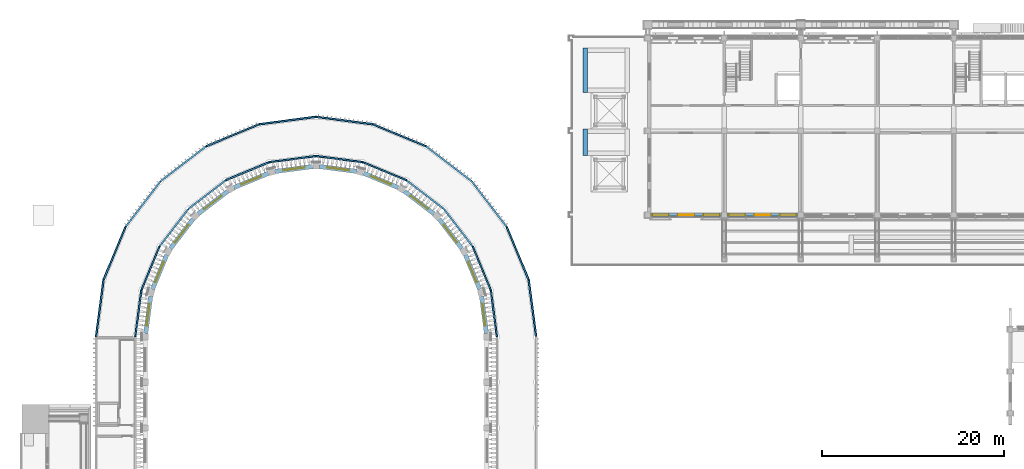
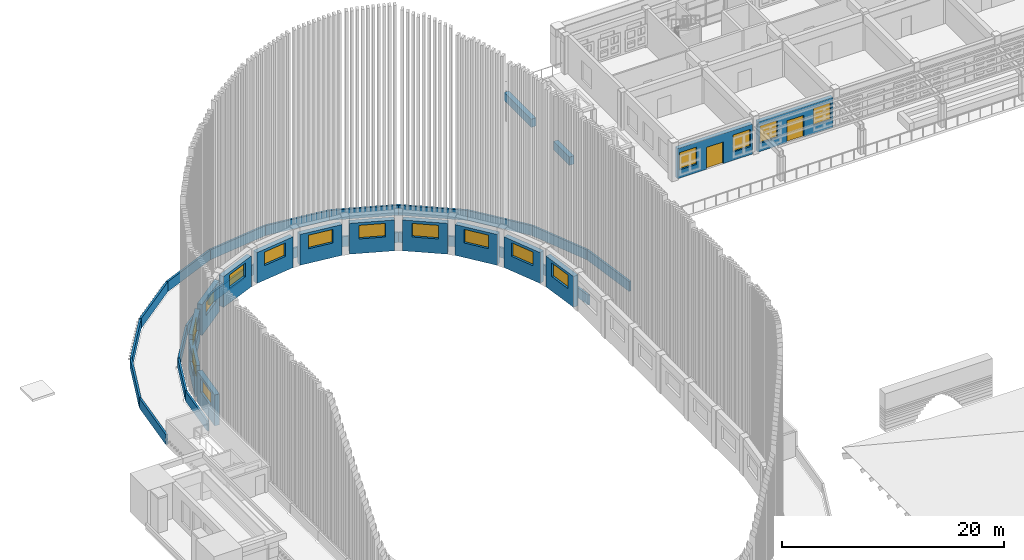
# One storey, part 27 of 68: 40 walls, 16 windows, 2 doors, 18 openings.
"""IFC4 building model written with IfcOpenShell, lengths in metres."""

from ifc_helpers import new_model, si_unit, direction, frame, frame_2d, origin, place, context, subcontext, project, spatial, rectangle, extrude, material, layer, layer_set, type_object, element, fill, save


model = new_model("IFC4")

# Units and contexts
model_context = context("Model", 3, precision=1e-05, world=origin(), true_north=direction((0.0, 1.0)))
body_context = subcontext(model_context, "Body", "Model", "MODEL_VIEW")
ifc_project = project(units=[si_unit("LENGTHUNIT", "METRE"), si_unit("AREAUNIT", "SQUARE_METRE"), si_unit("VOLUMEUNIT", "CUBIC_METRE"), si_unit("PLANEANGLEUNIT", "RADIAN"), si_unit("MASSUNIT", "GRAM", prefix="KILO")], contexts=[model_context])

# Site, building, storey
site_placement = place(None, origin())
site = spatial("IfcSite", under=ifc_project, at=site_placement, CompositionType="ELEMENT")
building_placement = place(site_placement, origin())
building = spatial("IfcBuilding", under=site, at=building_placement, Name="Wasatch Bagh Community Centre", CompositionType="ELEMENT")
storey_placement = place(building_placement, frame((0.0, 0.0, 8.39990234375)))
storey = spatial("IfcBuildingStorey", under=building, at=storey_placement, Name="L02", CompositionType="ELEMENT", Elevation=8.39990234375)

# Walls
ifc_material_1 = material(Name="Concrete C40", Category="concrete")
ifc_layer_1 = layer(ifc_material_1, 0.199951171875)
ifc_layer_set_1 = layer_set([ifc_layer_1], Name="Concrete C40")
wall_type_1 = type_object("IfcWallType", Name="Drum parapet RC WALL 200", PredefinedType="PARAPET", material=ifc_layer_set_1)
for number, where, z_axis, x_axis, name in (
    (1, (60.148193359375, 65.013916015625, 0.0), (0.0, 0.0, 1.0), (-0.130543059552, 0.991442640601, 0.0), "Terrace parapet outer 19"),
    (2, (59.32177734375, 71.263427734375, 0.0), (0.0, 0.0, 1.0), (-0.382683886571, 0.923879344373, 0.0), "Terrace parapet outer 20"),
    (3, (56.906005859375, 77.086181640625, 0.0), (0.0, 0.0, 1.0), (-0.608770391873, 0.793346462763, 0.0), "Terrace parapet outer 21"),
    (4, (53.0654296875, 82.085205078125, 0.0), (0.0, 0.0, 1.0), (-0.793346462763, 0.608770391873, 0.0), "Terrace parapet outer 22"),
    (5, (48.06201171875, 85.919921875, 0.0), (0.0, 0.0, 1.0), (-0.923879344373, 0.382683886571, 0.0), "Terrace parapet outer 23"),
    (6, (42.236572265625, 88.328857421875, 0.0), (0.0, 0.0, 1.0), (-0.991442640601, 0.130543059552, 0.0), "Terrace parapet outer 24"),
    (7, (35.986083984375, 89.148193359375, 0.0), (0.0, 0.0, 1.0), (-0.991442640601, -0.130543059552, 0.0), "Terrace parapet outer 25"),
    (8, (29.736572265625, 88.32177734375, 0.0), (0.0, 0.0, 1.0), (-0.923879344373, -0.382683886571, 0.0), "Terrace parapet outer 26"),
    (9, (23.913818359375, 85.906005859375, 0.0), (0.0, 0.0, 1.0), (-0.793346462763, -0.608770391873, 0.0), "Terrace parapet outer 27"),
    (10, (18.914794921875, 82.0654296875, 0.0), (0.0, 0.0, 1.0), (-0.608770391873, -0.793346462763, 0.0), "Terrace parapet outer 28"),
    (11, (15.080078125, 77.06201171875, 0.0), (0.0, 0.0, 1.0), (-0.382683886571, -0.923879344373, 0.0), "Terrace parapet outer 29"),
    (12, (12.671142578125, 71.236572265625, 0.0), (0.0, 0.0, 1.0), (-0.130543059552, -0.991442640601, 0.0), "Terrace parapet outer 30"),
):
    element("IfcWall", number, at=place(storey_placement, frame(where, z_axis=z_axis, x_axis=x_axis)), inside=storey, type_object=wall_type_1, Name=name, PredefinedType="PARAPET", context=body_context, shape_type="SweptSolid", body=[
        extrude(rectangle(XDim=6.2763671875, YDim=0.199951171875, at=frame_2d((3.13818359375, 0.0))), origin(), (0.0, 0.0, 1.0), 1.10009765625),
    ])
for number, where, z_axis, x_axis, name in (
    (13, (55.84814453125, 65.013916015625, 0.0), (0.0, 0.0, 1.0), (-0.13050352667, 0.991447845086, 0.0), "Terrace parapet inner 19"),
    (14, (55.168212890625, 70.150390625, 0.0), (0.0, 0.0, 1.0), (-0.382650224212, 0.92389328708, 0.0), "Terrace parapet inner 20"),
):
    element("IfcWall", number, at=place(storey_placement, frame(where, z_axis=z_axis, x_axis=x_axis)), inside=storey, type_object=wall_type_1, Name=name, PredefinedType="PARAPET", context=body_context, shape_type="SweptSolid", body=[
        extrude(rectangle(XDim=5.154052734375, YDim=0.199951171875, at=frame_2d((2.5771484375, 0.0))), origin(), (0.0, 0.0, 1.0), 1.10009765625),
    ])
for number, where, z_axis, x_axis, name in (
    (15, (53.18212890625, 74.93603515625, 0.0), (0.0, 0.0, 1.0), (-0.608755692685, 0.793357741894, 0.0), "Terrace parapet inner 21"),
    (16, (50.02490234375, 79.044677734375, 0.0), (0.0, 0.0, 1.0), (-0.793357741894, 0.608755692685, 0.0), "Terrace parapet inner 22"),
):
    element("IfcWall", number, at=place(storey_placement, frame(where, z_axis=z_axis, x_axis=x_axis)), inside=storey, type_object=wall_type_1, Name=name, PredefinedType="PARAPET", context=body_context, shape_type="SweptSolid", body=[
        extrude(rectangle(XDim=5.15380859375, YDim=0.199951171875, at=frame_2d((2.576904296875, 0.0))), origin(), (0.0, 0.0, 1.0), 1.10009765625),
    ])
for number, where, z_axis, x_axis, name in (
    (17, (45.912109375, 82.196044921875, 0.0), (0.0, 0.0, 1.0), (-0.92389328708, 0.382650224212, 0.0), "Terrace parapet inner 23"),
    (18, (41.123779296875, 84.175537109375, 0.0), (0.0, 0.0, 1.0), (-0.991447845086, 0.13050352667, 0.0), "Terrace parapet inner 24"),
    (19, (35.986083984375, 84.84814453125, 0.0), (0.0, 0.0, 1.0), (-0.991447845086, -0.13050352667, 0.0), "Terrace parapet inner 25"),
    (20, (30.849609375, 84.168212890625, 0.0), (0.0, 0.0, 1.0), (-0.92389328708, -0.382650224212, 0.0), "Terrace parapet inner 26"),
):
    element("IfcWall", number, at=place(storey_placement, frame(where, z_axis=z_axis, x_axis=x_axis)), inside=storey, type_object=wall_type_1, Name=name, PredefinedType="PARAPET", context=body_context, shape_type="SweptSolid", body=[
        extrude(rectangle(XDim=5.154052734375, YDim=0.199951171875, at=frame_2d((2.5771484375, 0.0))), origin(), (0.0, 0.0, 1.0), 1.10009765625),
    ])
for number, where, z_axis, x_axis, name in (
    (21, (26.06396484375, 82.18212890625, 0.0), (0.0, 0.0, 1.0), (-0.793357741894, -0.608755692685, 0.0), "Terrace parapet inner 27"),
    (22, (21.955322265625, 79.02490234375, 0.0), (0.0, 0.0, 1.0), (-0.608755692685, -0.793357741894, 0.0), "Terrace parapet inner 28"),
):
    element("IfcWall", number, at=place(storey_placement, frame(where, z_axis=z_axis, x_axis=x_axis)), inside=storey, type_object=wall_type_1, Name=name, PredefinedType="PARAPET", context=body_context, shape_type="SweptSolid", body=[
        extrude(rectangle(XDim=5.15380859375, YDim=0.199951171875, at=frame_2d((2.576904296875, 0.0))), origin(), (0.0, 0.0, 1.0), 1.10009765625),
    ])
for number, where, z_axis, x_axis, name in (
    (23, (18.803955078125, 74.912109375, 0.0), (0.0, 0.0, 1.0), (-0.382650224212, -0.92389328708, 0.0), "Terrace parapet inner 29"),
    (24, (16.824462890625, 70.123779296875, 0.0), (0.0, 0.0, 1.0), (-0.13050352667, -0.991447845086, 0.0), "Terrace parapet inner 30"),
):
    element("IfcWall", number, at=place(storey_placement, frame(where, z_axis=z_axis, x_axis=x_axis)), inside=storey, type_object=wall_type_1, Name=name, PredefinedType="PARAPET", context=body_context, shape_type="SweptSolid", body=[
        extrude(rectangle(XDim=5.154052734375, YDim=0.199951171875, at=frame_2d((2.5771484375, 0.0))), origin(), (0.0, 0.0, 1.0), 1.10009765625),
    ])

# Wall, openings, door, windows
ifc_material_2 = material(Name="Concrete C35", Category="concrete")
ifc_layer_2 = layer(ifc_material_2, 0.39990234375)
ifc_layer_set_2 = layer_set([ifc_layer_2], Name="Concrete C35")
wall_type_2 = type_object("IfcWallType", Name="LW facade wall 400", PredefinedType="SOLIDWALL", material=ifc_layer_set_2)
wall_1_placement = place(storey_placement, frame((72.699951171875, 78.39990234375, 0.0), z_axis=(0.0, 0.0, 1.0), x_axis=(1.0, 0.0, 0.0)))
wall_1 = element("IfcWall", 25, at=wall_1_placement, inside=storey, type_object=wall_type_2, Name="Facade wall", PredefinedType="SOLIDWALL", context=body_context, shape_type="SweptSolid", body=[
    extrude(rectangle(XDim=7.800048828125, YDim=0.39990234375, at=frame_2d((3.89990234375, 0.0))), origin(), (0.0, 0.0, 1.0), 3.320068359375),
])
opening_1_placement = place(wall_1_placement, frame((3.0, 0.0, 0.0)))
opening_1 = element("IfcOpeningElement", 26, at=opening_1_placement, cuts=wall_1, Name="Opening 2L-01", PredefinedType="OPENING", context=body_context, shape_type="SweptSolid", body=[
    extrude(rectangle(XDim=1.800048828125, YDim=2.39990234375, at=frame_2d((0.89990234375, 1.199951171875))), frame((0.0, 0.2099609375, 0.0), z_axis=(0.0, -1.0, 0.0), x_axis=(1.0, 0.0, 0.0)), (0.0, 0.0, 1.0), 0.419921875),
])
opening_2_placement = place(wall_1_placement, frame((0.199951171875, 0.0, 0.89990234375)))
opening_2 = element("IfcOpeningElement", 27, at=opening_2_placement, cuts=wall_1, Name="Opening 2L-W001", PredefinedType="OPENING", context=body_context, shape_type="SweptSolid", body=[
    extrude(rectangle(XDim=1.800048828125, YDim=1.89990234375, at=frame_2d((0.89990234375, 0.949951171875))), frame((0.0, 0.2099609375, 0.0), z_axis=(0.0, -1.0, 0.0), x_axis=(1.0, 0.0, 0.0)), (0.0, 0.0, 1.0), 0.419921875),
])
opening_3_placement = place(wall_1_placement, frame((5.800048828125, 0.0, 0.89990234375)))
opening_3 = element("IfcOpeningElement", 28, at=opening_3_placement, cuts=wall_1, Name="Opening 2L-W002", PredefinedType="OPENING", context=body_context, shape_type="SweptSolid", body=[
    extrude(rectangle(XDim=1.800048828125, YDim=1.89990234375, at=frame_2d((0.89990234375, 0.949951171875))), frame((0.0, 0.2099609375, 0.0), z_axis=(0.0, -1.0, 0.0), x_axis=(1.0, 0.0, 0.0)), (0.0, 0.0, 1.0), 0.419921875),
])
ifc_material_3 = material(Name="Aluminium framed glazed door", Category="aluminium")
door_type = type_object("IfcDoorType", Name="LW terrace door pair 1800x2400", OperationType="DOUBLE_DOOR_SINGLE_SWING", PredefinedType="DOOR", material=ifc_material_3)
door_1_placement = place(opening_1_placement, origin())
door_1 = element("IfcDoor", 29, at=door_1_placement, inside=storey, type_object=door_type, Name="Terrace door 2L-01", OperationType="DOUBLE_DOOR_SINGLE_SWING", OverallHeight=2.39990234375, OverallWidth=1.800048828125, PredefinedType="DOOR", context=body_context, shape_type="SweptSolid", body=[
    extrude(rectangle(XDim=1.800048828125, YDim=2.39990234375, at=frame_2d((0.89990234375, 1.199951171875))), frame((0.0, 0.02490234375, 0.0), z_axis=(0.0, -1.0, 0.0), x_axis=(1.0, 0.0, 0.0)), (0.0, 0.0, 1.0), 0.050048828125),
])
fill(opening_1, door_1)
ifc_material_4 = material(Name="Aluminium framed double glazing", Category="aluminium")
window_type_1 = type_object("IfcWindowType", Name="LW window 1800x1900", PartitioningType="SINGLE_PANEL", PredefinedType="WINDOW", material=ifc_material_4)
window_1_placement = place(opening_2_placement, origin())
window_1 = element("IfcWindow", 30, at=window_1_placement, inside=storey, type_object=window_type_1, Name="Window 2L-W001", OverallHeight=1.89990234375, OverallWidth=1.800048828125, PartitioningType="SINGLE_PANEL", PredefinedType="WINDOW", context=body_context, shape_type="SweptSolid", body=[
    extrude(rectangle(XDim=1.800048828125, YDim=1.89990234375, at=frame_2d((0.89990234375, 0.949951171875))), frame((0.0, 0.030029296875, 0.0), z_axis=(0.0, -1.0, 0.0), x_axis=(1.0, 0.0, 0.0)), (0.0, 0.0, 1.0), 0.06005859375),
])
fill(opening_2, window_1)
window_2_placement = place(opening_3_placement, origin())
window_2 = element("IfcWindow", 31, at=window_2_placement, inside=storey, type_object=window_type_1, Name="Window 2L-W002", OverallHeight=1.89990234375, OverallWidth=1.800048828125, PartitioningType="SINGLE_PANEL", PredefinedType="WINDOW", context=body_context, shape_type="SweptSolid", body=[
    extrude(rectangle(XDim=1.800048828125, YDim=1.89990234375, at=frame_2d((0.89990234375, 0.949951171875))), frame((0.0, 0.030029296875, 0.0), z_axis=(0.0, -1.0, 0.0), x_axis=(1.0, 0.0, 0.0)), (0.0, 0.0, 1.0), 0.06005859375),
])
fill(opening_3, window_2)

wall_2_placement = place(storey_placement, frame((81.10009765625, 78.39990234375, 0.0), z_axis=(0.0, 0.0, 1.0), x_axis=(1.0, 0.0, 0.0)))
wall_2 = element("IfcWall", 32, at=wall_2_placement, inside=storey, type_object=wall_type_2, Name="Facade wall", PredefinedType="SOLIDWALL", context=body_context, shape_type="SweptSolid", body=[
    extrude(rectangle(XDim=7.7998046875, YDim=0.39990234375, at=frame_2d((3.89990234375, 0.0))), origin(), (0.0, 0.0, 1.0), 3.320068359375),
])
opening_4_placement = place(wall_2_placement, frame((3.0, 0.0, 0.0)))
opening_4 = element("IfcOpeningElement", 33, at=opening_4_placement, cuts=wall_2, Name="Opening 2L-02", PredefinedType="OPENING", context=body_context, shape_type="SweptSolid", body=[
    extrude(rectangle(XDim=1.800048828125, YDim=2.39990234375, at=frame_2d((0.89990234375, 1.199951171875))), frame((0.0, 0.2099609375, 0.0), z_axis=(0.0, -1.0, 0.0), x_axis=(1.0, 0.0, 0.0)), (0.0, 0.0, 1.0), 0.419921875),
])
opening_5_placement = place(wall_2_placement, frame((0.199951171875, 0.0, 0.89990234375)))
opening_5 = element("IfcOpeningElement", 34, at=opening_5_placement, cuts=wall_2, Name="Opening 2L-W003", PredefinedType="OPENING", context=body_context, shape_type="SweptSolid", body=[
    extrude(rectangle(XDim=1.800048828125, YDim=1.89990234375, at=frame_2d((0.89990234375, 0.949951171875))), frame((0.0, 0.2099609375, 0.0), z_axis=(0.0, -1.0, 0.0), x_axis=(1.0, 0.0, 0.0)), (0.0, 0.0, 1.0), 0.419921875),
])
opening_6_placement = place(wall_2_placement, frame((5.800048828125, 0.0, 0.89990234375)))
opening_6 = element("IfcOpeningElement", 35, at=opening_6_placement, cuts=wall_2, Name="Opening 2L-W004", PredefinedType="OPENING", context=body_context, shape_type="SweptSolid", body=[
    extrude(rectangle(XDim=1.800048828125, YDim=1.89990234375, at=frame_2d((0.89990234375, 0.949951171875))), frame((0.0, 0.2099609375, 0.0), z_axis=(0.0, -1.0, 0.0), x_axis=(1.0, 0.0, 0.0)), (0.0, 0.0, 1.0), 0.419921875),
])
door_2_placement = place(opening_4_placement, origin())
door_2 = element("IfcDoor", 36, at=door_2_placement, inside=storey, type_object=door_type, Name="Terrace door 2L-02", OperationType="DOUBLE_DOOR_SINGLE_SWING", OverallHeight=2.39990234375, OverallWidth=1.800048828125, PredefinedType="DOOR", context=body_context, shape_type="SweptSolid", body=[
    extrude(rectangle(XDim=1.800048828125, YDim=2.39990234375, at=frame_2d((0.89990234375, 1.199951171875))), frame((0.0, 0.02490234375, 0.0), z_axis=(0.0, -1.0, 0.0), x_axis=(1.0, 0.0, 0.0)), (0.0, 0.0, 1.0), 0.050048828125),
])
fill(opening_4, door_2)
window_3_placement = place(opening_5_placement, origin())
window_3 = element("IfcWindow", 37, at=window_3_placement, inside=storey, type_object=window_type_1, Name="Window 2L-W003", OverallHeight=1.89990234375, OverallWidth=1.800048828125, PartitioningType="SINGLE_PANEL", PredefinedType="WINDOW", context=body_context, shape_type="SweptSolid", body=[
    extrude(rectangle(XDim=1.800048828125, YDim=1.89990234375, at=frame_2d((0.89990234375, 0.949951171875))), frame((0.0, 0.030029296875, 0.0), z_axis=(0.0, -1.0, 0.0), x_axis=(1.0, 0.0, 0.0)), (0.0, 0.0, 1.0), 0.06005859375),
])
fill(opening_5, window_3)
window_4_placement = place(opening_6_placement, origin())
window_4 = element("IfcWindow", 38, at=window_4_placement, inside=storey, type_object=window_type_1, Name="Window 2L-W004", OverallHeight=1.89990234375, OverallWidth=1.800048828125, PartitioningType="SINGLE_PANEL", PredefinedType="WINDOW", context=body_context, shape_type="SweptSolid", body=[
    extrude(rectangle(XDim=1.800048828125, YDim=1.89990234375, at=frame_2d((0.89990234375, 0.949951171875))), frame((0.0, 0.030029296875, 0.0), z_axis=(0.0, -1.0, 0.0), x_axis=(1.0, 0.0, 0.0)), (0.0, 0.0, 1.0), 0.06005859375),
])
fill(opening_6, window_4)

# Walls
ifc_layer_3 = layer(ifc_material_2, 0.5)
ifc_layer_set_3 = layer_set([ifc_layer_3], Name="Concrete C35")
wall_type_3 = type_object("IfcWallType", Name="LW planter trough wall 500", PredefinedType="SOLIDWALL", material=ifc_layer_set_3)
wall_3_placement = place(storey_placement, frame((65.550048828125, 91.800048828125, 0.0), z_axis=(0.0, 0.0, 1.0), x_axis=(0.0, 1.0, 0.0)))
element("IfcWall", 39, at=wall_3_placement, inside=storey, type_object=wall_type_3, Name="Planter wall T2", PredefinedType="SOLIDWALL", context=body_context, shape_type="SweptSolid", body=[
    extrude(rectangle(XDim=4.89990234375, YDim=0.5, at=frame_2d((2.449951171875, 0.0))), origin(), (0.0, 0.0, 1.0), 0.900146484375),
])
wall_4_placement = place(storey_placement, frame((65.550048828125, 84.89990234375, 0.0), z_axis=(0.0, 0.0, 1.0), x_axis=(0.0, 1.0, 0.0)))
element("IfcWall", 40, at=wall_4_placement, inside=storey, type_object=wall_type_3, Name="Planter wall T2", PredefinedType="SOLIDWALL", context=body_context, shape_type="SweptSolid", body=[
    extrude(rectangle(XDim=2.900146484375, YDim=0.5, at=frame_2d((1.4501953125, 0.0))), origin(), (0.0, 0.0, 1.0), 0.900146484375),
])

# Wall, opening, window
ifc_layer_4 = layer(ifc_material_1, 0.5)
ifc_layer_set_4 = layer_set([ifc_layer_4], Name="Concrete C40")
wall_type_4 = type_object("IfcWallType", Name="MH wall RC WALL 500", PredefinedType="SHEAR", material=ifc_layer_set_4)
wall_5_placement = place(storey_placement, frame((54.699462890625, 65.383056640625, 0.0), z_axis=(0.0, 0.0, 1.0), x_axis=(-0.130483623501, 0.991450464722, 0.0)))
wall_5 = element("IfcWall", 41, at=wall_5_placement, inside=storey, type_object=wall_type_4, Name="Capsule wall 19", PredefinedType="SHEAR", context=body_context, shape_type="SweptSolid", body=[
    extrude(rectangle(XDim=4.121826171875, YDim=0.5, at=frame_2d((2.06103515625, 0.0))), origin(), (0.0, 0.0, 1.0), 3.400146484375),
])
opening_7_placement = place(wall_5_placement, frame((0.86083984375, 0.0, 1.60009765625)))
opening_7 = element("IfcOpeningElement", 42, at=opening_7_placement, cuts=wall_5, Name="Opening 0M-W19", PredefinedType="OPENING", context=body_context, shape_type="SweptSolid", body=[
    extrude(rectangle(XDim=2.39990234375, YDim=1.5, at=frame_2d((1.199951171875, 0.75))), frame((0.0, 0.260009765625, 0.0), z_axis=(0.0, -1.0, 0.0), x_axis=(1.0, 0.0, 0.0)), (0.0, 0.0, 1.0), 0.52001953125),
])
ifc_material_5 = material(Name="Aluminium frame with low-iron insulated glass", Category="aluminium")
window_type_2 = type_object("IfcWindowType", Name="MH clerestory window W1", PartitioningType="SINGLE_PANEL", PredefinedType="WINDOW", material=ifc_material_5)
window_5_placement = place(opening_7_placement, origin())
window_5 = element("IfcWindow", 43, at=window_5_placement, inside=storey, type_object=window_type_2, Name="Window 0M-W19", OverallHeight=1.5, OverallWidth=2.39990234375, PartitioningType="SINGLE_PANEL", PredefinedType="WINDOW", context=body_context, shape_type="SweptSolid", body=[
    extrude(rectangle(XDim=2.39990234375, YDim=1.5, at=frame_2d((1.199951171875, 0.75))), frame((0.0, 0.030029296875, 0.0), z_axis=(0.0, -1.0, 0.0), x_axis=(1.0, 0.0, 0.0)), (0.0, 0.0, 1.0), 0.06005859375),
])
fill(opening_7, window_5)

wall_6_placement = place(storey_placement, frame((53.963134765625, 70.2099609375, 0.0), z_axis=(0.0, 0.0, 1.0), x_axis=(-0.382688328955, 0.923877504262, 0.0)))
wall_6 = element("IfcWall", 44, at=wall_6_placement, inside=storey, type_object=wall_type_4, Name="Capsule wall 20", PredefinedType="SHEAR", context=body_context, shape_type="SweptSolid", body=[
    extrude(rectangle(XDim=4.121826171875, YDim=0.5, at=frame_2d((2.06103515625, 0.0))), origin(), (0.0, 0.0, 1.0), 3.400146484375),
])
opening_8_placement = place(wall_6_placement, frame((0.86083984375, 0.0, 1.60009765625)))
opening_8 = element("IfcOpeningElement", 45, at=opening_8_placement, cuts=wall_6, Name="Opening 0M-W20", PredefinedType="OPENING", context=body_context, shape_type="SweptSolid", body=[
    extrude(rectangle(XDim=2.39990234375, YDim=1.5, at=frame_2d((1.199951171875, 0.75))), frame((0.0, 0.260009765625, 0.0), z_axis=(0.0, -1.0, 0.0), x_axis=(1.0, 0.0, 0.0)), (0.0, 0.0, 1.0), 0.52001953125),
])
window_6_placement = place(opening_8_placement, origin())
window_6 = element("IfcWindow", 46, at=window_6_placement, inside=storey, type_object=window_type_2, Name="Window 0M-W20", OverallHeight=1.5, OverallWidth=2.39990234375, PartitioningType="SINGLE_PANEL", PredefinedType="WINDOW", context=body_context, shape_type="SweptSolid", body=[
    extrude(rectangle(XDim=2.39990234375, YDim=1.5, at=frame_2d((1.199951171875, 0.75))), frame((0.0, 0.030029296875, 0.0), z_axis=(0.0, -1.0, 0.0), x_axis=(1.0, 0.0, 0.0)), (0.0, 0.0, 1.0), 0.06005859375),
])
fill(opening_8, window_6)

wall_7_placement = place(storey_placement, frame((52.002685546875, 74.681640625, 0.0), z_axis=(0.0, 0.0, 1.0), x_axis=(-0.60877717335, 0.793341258985, 0.0)))
wall_7 = element("IfcWall", 47, at=wall_7_placement, inside=storey, type_object=wall_type_4, Name="Capsule wall 21", PredefinedType="SHEAR", context=body_context, shape_type="SweptSolid", body=[
    extrude(rectangle(XDim=4.121826171875, YDim=0.5, at=frame_2d((2.06103515625, 0.0))), origin(), (0.0, 0.0, 1.0), 3.400146484375),
])
opening_9_placement = place(wall_7_placement, frame((0.86083984375, 0.0, 1.60009765625)))
opening_9 = element("IfcOpeningElement", 48, at=opening_9_placement, cuts=wall_7, Name="Opening 0M-W21", PredefinedType="OPENING", context=body_context, shape_type="SweptSolid", body=[
    extrude(rectangle(XDim=2.39990234375, YDim=1.5, at=frame_2d((1.199951171875, 0.75))), frame((0.0, 0.260009765625, 0.0), z_axis=(0.0, -1.0, 0.0), x_axis=(1.0, 0.0, 0.0)), (0.0, 0.0, 1.0), 0.52001953125),
])
window_7_placement = place(opening_9_placement, origin())
window_7 = element("IfcWindow", 49, at=window_7_placement, inside=storey, type_object=window_type_2, Name="Window 0M-W21", OverallHeight=1.5, OverallWidth=2.39990234375, PartitioningType="SINGLE_PANEL", PredefinedType="WINDOW", context=body_context, shape_type="SweptSolid", body=[
    extrude(rectangle(XDim=2.39990234375, YDim=1.5, at=frame_2d((1.199951171875, 0.75))), frame((0.0, 0.030029296875, 0.0), z_axis=(0.0, -1.0, 0.0), x_axis=(1.0, 0.0, 0.0)), (0.0, 0.0, 1.0), 0.06005859375),
])
fill(opening_9, window_7)

wall_8_placement = place(storey_placement, frame((48.95166015625, 78.493408203125, 0.0), z_axis=(0.0, 0.0, 1.0), x_axis=(-0.793341258985, 0.60877717335, 0.0)))
wall_8 = element("IfcWall", 50, at=wall_8_placement, inside=storey, type_object=wall_type_4, Name="Capsule wall 22", PredefinedType="SHEAR", context=body_context, shape_type="SweptSolid", body=[
    extrude(rectangle(XDim=4.121826171875, YDim=0.5, at=frame_2d((2.06103515625, 0.0))), origin(), (0.0, 0.0, 1.0), 3.400146484375),
])
opening_10_placement = place(wall_8_placement, frame((0.86083984375, 0.0, 1.60009765625)))
opening_10 = element("IfcOpeningElement", 51, at=opening_10_placement, cuts=wall_8, Name="Opening 0M-W22", PredefinedType="OPENING", context=body_context, shape_type="SweptSolid", body=[
    extrude(rectangle(XDim=2.39990234375, YDim=1.5, at=frame_2d((1.199951171875, 0.75))), frame((0.0, 0.260009765625, 0.0), z_axis=(0.0, -1.0, 0.0), x_axis=(1.0, 0.0, 0.0)), (0.0, 0.0, 1.0), 0.52001953125),
])
window_8_placement = place(opening_10_placement, origin())
window_8 = element("IfcWindow", 52, at=window_8_placement, inside=storey, type_object=window_type_2, Name="Window 0M-W22", OverallHeight=1.5, OverallWidth=2.39990234375, PartitioningType="SINGLE_PANEL", PredefinedType="WINDOW", context=body_context, shape_type="SweptSolid", body=[
    extrude(rectangle(XDim=2.39990234375, YDim=1.5, at=frame_2d((1.199951171875, 0.75))), frame((0.0, 0.030029296875, 0.0), z_axis=(0.0, -1.0, 0.0), x_axis=(1.0, 0.0, 0.0)), (0.0, 0.0, 1.0), 0.06005859375),
])
fill(opening_10, window_8)

wall_9_placement = place(storey_placement, frame((45.01806640625, 81.3857421875, 0.0), z_axis=(0.0, 0.0, 1.0), x_axis=(-0.923877504262, 0.382688328955, 0.0)))
wall_9 = element("IfcWall", 53, at=wall_9_placement, inside=storey, type_object=wall_type_4, Name="Capsule wall 23", PredefinedType="SHEAR", context=body_context, shape_type="SweptSolid", body=[
    extrude(rectangle(XDim=4.121826171875, YDim=0.5, at=frame_2d((2.06103515625, 0.0))), origin(), (0.0, 0.0, 1.0), 3.400146484375),
])
opening_11_placement = place(wall_9_placement, frame((0.86083984375, 0.0, 1.60009765625)))
opening_11 = element("IfcOpeningElement", 54, at=opening_11_placement, cuts=wall_9, Name="Opening 0M-W23", PredefinedType="OPENING", context=body_context, shape_type="SweptSolid", body=[
    extrude(rectangle(XDim=2.39990234375, YDim=1.5, at=frame_2d((1.199951171875, 0.75))), frame((0.0, 0.260009765625, 0.0), z_axis=(0.0, -1.0, 0.0), x_axis=(1.0, 0.0, 0.0)), (0.0, 0.0, 1.0), 0.52001953125),
])
window_9_placement = place(opening_11_placement, origin())
window_9 = element("IfcWindow", 55, at=window_9_placement, inside=storey, type_object=window_type_2, Name="Window 0M-W23", OverallHeight=1.5, OverallWidth=2.39990234375, PartitioningType="SINGLE_PANEL", PredefinedType="WINDOW", context=body_context, shape_type="SweptSolid", body=[
    extrude(rectangle(XDim=2.39990234375, YDim=1.5, at=frame_2d((1.199951171875, 0.75))), frame((0.0, 0.030029296875, 0.0), z_axis=(0.0, -1.0, 0.0), x_axis=(1.0, 0.0, 0.0)), (0.0, 0.0, 1.0), 0.06005859375),
])
fill(opening_11, window_9)

wall_10_placement = place(storey_placement, frame((40.4697265625, 83.16162109375, 0.0), z_axis=(0.0, 0.0, 1.0), x_axis=(-0.991450464722, 0.130483623501, 0.0)))
wall_10 = element("IfcWall", 56, at=wall_10_placement, inside=storey, type_object=wall_type_4, Name="Capsule wall 24", PredefinedType="SHEAR", context=body_context, shape_type="SweptSolid", body=[
    extrude(rectangle(XDim=4.121826171875, YDim=0.5, at=frame_2d((2.06103515625, 0.0))), origin(), (0.0, 0.0, 1.0), 3.400146484375),
])
opening_12_placement = place(wall_10_placement, frame((0.86083984375, 0.0, 1.60009765625)))
opening_12 = element("IfcOpeningElement", 57, at=opening_12_placement, cuts=wall_10, Name="Opening 0M-W24", PredefinedType="OPENING", context=body_context, shape_type="SweptSolid", body=[
    extrude(rectangle(XDim=2.39990234375, YDim=1.5, at=frame_2d((1.199951171875, 0.75))), frame((0.0, 0.260009765625, 0.0), z_axis=(0.0, -1.0, 0.0), x_axis=(1.0, 0.0, 0.0)), (0.0, 0.0, 1.0), 0.52001953125),
])
window_10_placement = place(opening_12_placement, origin())
window_10 = element("IfcWindow", 58, at=window_10_placement, inside=storey, type_object=window_type_2, Name="Window 0M-W24", OverallHeight=1.5, OverallWidth=2.39990234375, PartitioningType="SINGLE_PANEL", PredefinedType="WINDOW", context=body_context, shape_type="SweptSolid", body=[
    extrude(rectangle(XDim=2.39990234375, YDim=1.5, at=frame_2d((1.199951171875, 0.75))), frame((0.0, 0.030029296875, 0.0), z_axis=(0.0, -1.0, 0.0), x_axis=(1.0, 0.0, 0.0)), (0.0, 0.0, 1.0), 0.06005859375),
])
fill(opening_12, window_10)

wall_11_placement = place(storey_placement, frame((35.616943359375, 83.699462890625, 0.0), z_axis=(0.0, 0.0, 1.0), x_axis=(-0.991450464722, -0.130483623501, 0.0)))
wall_11 = element("IfcWall", 59, at=wall_11_placement, inside=storey, type_object=wall_type_4, Name="Capsule wall 25", PredefinedType="SHEAR", context=body_context, shape_type="SweptSolid", body=[
    extrude(rectangle(XDim=4.121826171875, YDim=0.5, at=frame_2d((2.06103515625, 0.0))), origin(), (0.0, 0.0, 1.0), 3.400146484375),
])
opening_13_placement = place(wall_11_placement, frame((0.86083984375, 0.0, 1.60009765625)))
opening_13 = element("IfcOpeningElement", 60, at=opening_13_placement, cuts=wall_11, Name="Opening 0M-W25", PredefinedType="OPENING", context=body_context, shape_type="SweptSolid", body=[
    extrude(rectangle(XDim=2.39990234375, YDim=1.5, at=frame_2d((1.199951171875, 0.75))), frame((0.0, 0.260009765625, 0.0), z_axis=(0.0, -1.0, 0.0), x_axis=(1.0, 0.0, 0.0)), (0.0, 0.0, 1.0), 0.52001953125),
])
window_11_placement = place(opening_13_placement, origin())
window_11 = element("IfcWindow", 61, at=window_11_placement, inside=storey, type_object=window_type_2, Name="Window 0M-W25", OverallHeight=1.5, OverallWidth=2.39990234375, PartitioningType="SINGLE_PANEL", PredefinedType="WINDOW", context=body_context, shape_type="SweptSolid", body=[
    extrude(rectangle(XDim=2.39990234375, YDim=1.5, at=frame_2d((1.199951171875, 0.75))), frame((0.0, 0.030029296875, 0.0), z_axis=(0.0, -1.0, 0.0), x_axis=(1.0, 0.0, 0.0)), (0.0, 0.0, 1.0), 0.06005859375),
])
fill(opening_13, window_11)

wall_12_placement = place(storey_placement, frame((30.7900390625, 82.963134765625, 0.0), z_axis=(0.0, 0.0, 1.0), x_axis=(-0.923877504262, -0.382688328955, 0.0)))
wall_12 = element("IfcWall", 62, at=wall_12_placement, inside=storey, type_object=wall_type_4, Name="Capsule wall 26", PredefinedType="SHEAR", context=body_context, shape_type="SweptSolid", body=[
    extrude(rectangle(XDim=4.121826171875, YDim=0.5, at=frame_2d((2.06103515625, 0.0))), origin(), (0.0, 0.0, 1.0), 3.400146484375),
])
opening_14_placement = place(wall_12_placement, frame((0.86083984375, 0.0, 1.60009765625)))
opening_14 = element("IfcOpeningElement", 63, at=opening_14_placement, cuts=wall_12, Name="Opening 0M-W26", PredefinedType="OPENING", context=body_context, shape_type="SweptSolid", body=[
    extrude(rectangle(XDim=2.39990234375, YDim=1.5, at=frame_2d((1.199951171875, 0.75))), frame((0.0, 0.260009765625, 0.0), z_axis=(0.0, -1.0, 0.0), x_axis=(1.0, 0.0, 0.0)), (0.0, 0.0, 1.0), 0.52001953125),
])
window_12_placement = place(opening_14_placement, origin())
window_12 = element("IfcWindow", 64, at=window_12_placement, inside=storey, type_object=window_type_2, Name="Window 0M-W26", OverallHeight=1.5, OverallWidth=2.39990234375, PartitioningType="SINGLE_PANEL", PredefinedType="WINDOW", context=body_context, shape_type="SweptSolid", body=[
    extrude(rectangle(XDim=2.39990234375, YDim=1.5, at=frame_2d((1.199951171875, 0.75))), frame((0.0, 0.030029296875, 0.0), z_axis=(0.0, -1.0, 0.0), x_axis=(1.0, 0.0, 0.0)), (0.0, 0.0, 1.0), 0.06005859375),
])
fill(opening_14, window_12)

wall_13_placement = place(storey_placement, frame((26.318359375, 81.002685546875, 0.0), z_axis=(0.0, 0.0, 1.0), x_axis=(-0.793341258985, -0.60877717335, 0.0)))
wall_13 = element("IfcWall", 65, at=wall_13_placement, inside=storey, type_object=wall_type_4, Name="Capsule wall 27", PredefinedType="SHEAR", context=body_context, shape_type="SweptSolid", body=[
    extrude(rectangle(XDim=4.121826171875, YDim=0.5, at=frame_2d((2.06103515625, 0.0))), origin(), (0.0, 0.0, 1.0), 3.400146484375),
])
opening_15_placement = place(wall_13_placement, frame((0.86083984375, 0.0, 1.60009765625)))
opening_15 = element("IfcOpeningElement", 66, at=opening_15_placement, cuts=wall_13, Name="Opening 0M-W27", PredefinedType="OPENING", context=body_context, shape_type="SweptSolid", body=[
    extrude(rectangle(XDim=2.39990234375, YDim=1.5, at=frame_2d((1.199951171875, 0.75))), frame((0.0, 0.260009765625, 0.0), z_axis=(0.0, -1.0, 0.0), x_axis=(1.0, 0.0, 0.0)), (0.0, 0.0, 1.0), 0.52001953125),
])
window_13_placement = place(opening_15_placement, origin())
window_13 = element("IfcWindow", 67, at=window_13_placement, inside=storey, type_object=window_type_2, Name="Window 0M-W27", OverallHeight=1.5, OverallWidth=2.39990234375, PartitioningType="SINGLE_PANEL", PredefinedType="WINDOW", context=body_context, shape_type="SweptSolid", body=[
    extrude(rectangle(XDim=2.39990234375, YDim=1.5, at=frame_2d((1.199951171875, 0.75))), frame((0.0, 0.030029296875, 0.0), z_axis=(0.0, -1.0, 0.0), x_axis=(1.0, 0.0, 0.0)), (0.0, 0.0, 1.0), 0.06005859375),
])
fill(opening_15, window_13)

wall_14_placement = place(storey_placement, frame((22.506591796875, 77.95166015625, 0.0), z_axis=(0.0, 0.0, 1.0), x_axis=(-0.60877717335, -0.793341258985, 0.0)))
wall_14 = element("IfcWall", 68, at=wall_14_placement, inside=storey, type_object=wall_type_4, Name="Capsule wall 28", PredefinedType="SHEAR", context=body_context, shape_type="SweptSolid", body=[
    extrude(rectangle(XDim=4.121826171875, YDim=0.5, at=frame_2d((2.06103515625, 0.0))), origin(), (0.0, 0.0, 1.0), 3.400146484375),
])
opening_16_placement = place(wall_14_placement, frame((0.86083984375, 0.0, 1.60009765625)))
opening_16 = element("IfcOpeningElement", 69, at=opening_16_placement, cuts=wall_14, Name="Opening 0M-W28", PredefinedType="OPENING", context=body_context, shape_type="SweptSolid", body=[
    extrude(rectangle(XDim=2.39990234375, YDim=1.5, at=frame_2d((1.199951171875, 0.75))), frame((0.0, 0.260009765625, 0.0), z_axis=(0.0, -1.0, 0.0), x_axis=(1.0, 0.0, 0.0)), (0.0, 0.0, 1.0), 0.52001953125),
])
window_14_placement = place(opening_16_placement, origin())
window_14 = element("IfcWindow", 70, at=window_14_placement, inside=storey, type_object=window_type_2, Name="Window 0M-W28", OverallHeight=1.5, OverallWidth=2.39990234375, PartitioningType="SINGLE_PANEL", PredefinedType="WINDOW", context=body_context, shape_type="SweptSolid", body=[
    extrude(rectangle(XDim=2.39990234375, YDim=1.5, at=frame_2d((1.199951171875, 0.75))), frame((0.0, 0.030029296875, 0.0), z_axis=(0.0, -1.0, 0.0), x_axis=(1.0, 0.0, 0.0)), (0.0, 0.0, 1.0), 0.06005859375),
])
fill(opening_16, window_14)

wall_15_placement = place(storey_placement, frame((19.6142578125, 74.01806640625, 0.0), z_axis=(0.0, 0.0, 1.0), x_axis=(-0.382688328955, -0.923877504262, 0.0)))
wall_15 = element("IfcWall", 71, at=wall_15_placement, inside=storey, type_object=wall_type_4, Name="Capsule wall 29", PredefinedType="SHEAR", context=body_context, shape_type="SweptSolid", body=[
    extrude(rectangle(XDim=4.121826171875, YDim=0.5, at=frame_2d((2.06103515625, 0.0))), origin(), (0.0, 0.0, 1.0), 3.400146484375),
])
opening_17_placement = place(wall_15_placement, frame((0.86083984375, 0.0, 1.60009765625)))
opening_17 = element("IfcOpeningElement", 72, at=opening_17_placement, cuts=wall_15, Name="Opening 0M-W29", PredefinedType="OPENING", context=body_context, shape_type="SweptSolid", body=[
    extrude(rectangle(XDim=2.39990234375, YDim=1.5, at=frame_2d((1.199951171875, 0.75))), frame((0.0, 0.260009765625, 0.0), z_axis=(0.0, -1.0, 0.0), x_axis=(1.0, 0.0, 0.0)), (0.0, 0.0, 1.0), 0.52001953125),
])
window_15_placement = place(opening_17_placement, origin())
window_15 = element("IfcWindow", 73, at=window_15_placement, inside=storey, type_object=window_type_2, Name="Window 0M-W29", OverallHeight=1.5, OverallWidth=2.39990234375, PartitioningType="SINGLE_PANEL", PredefinedType="WINDOW", context=body_context, shape_type="SweptSolid", body=[
    extrude(rectangle(XDim=2.39990234375, YDim=1.5, at=frame_2d((1.199951171875, 0.75))), frame((0.0, 0.030029296875, 0.0), z_axis=(0.0, -1.0, 0.0), x_axis=(1.0, 0.0, 0.0)), (0.0, 0.0, 1.0), 0.06005859375),
])
fill(opening_17, window_15)

wall_16_placement = place(storey_placement, frame((17.83837890625, 69.4697265625, 0.0), z_axis=(0.0, 0.0, 1.0), x_axis=(-0.130483623501, -0.991450464722, 0.0)))
wall_16 = element("IfcWall", 74, at=wall_16_placement, inside=storey, type_object=wall_type_4, Name="Capsule wall 30", PredefinedType="SHEAR", context=body_context, shape_type="SweptSolid", body=[
    extrude(rectangle(XDim=4.121826171875, YDim=0.5, at=frame_2d((2.06103515625, 0.0))), origin(), (0.0, 0.0, 1.0), 3.400146484375),
])
opening_18_placement = place(wall_16_placement, frame((0.86083984375, 0.0, 1.60009765625)))
opening_18 = element("IfcOpeningElement", 75, at=opening_18_placement, cuts=wall_16, Name="Opening 0M-W30", PredefinedType="OPENING", context=body_context, shape_type="SweptSolid", body=[
    extrude(rectangle(XDim=2.39990234375, YDim=1.5, at=frame_2d((1.199951171875, 0.75))), frame((0.0, 0.260009765625, 0.0), z_axis=(0.0, -1.0, 0.0), x_axis=(1.0, 0.0, 0.0)), (0.0, 0.0, 1.0), 0.52001953125),
])
window_16_placement = place(opening_18_placement, origin())
window_16 = element("IfcWindow", 76, at=window_16_placement, inside=storey, type_object=window_type_2, Name="Window 0M-W30", OverallHeight=1.5, OverallWidth=2.39990234375, PartitioningType="SINGLE_PANEL", PredefinedType="WINDOW", context=body_context, shape_type="SweptSolid", body=[
    extrude(rectangle(XDim=2.39990234375, YDim=1.5, at=frame_2d((1.199951171875, 0.75))), frame((0.0, 0.030029296875, 0.0), z_axis=(0.0, -1.0, 0.0), x_axis=(1.0, 0.0, 0.0)), (0.0, 0.0, 1.0), 0.06005859375),
])
fill(opening_18, window_16)

save(model, "model.ifc")
